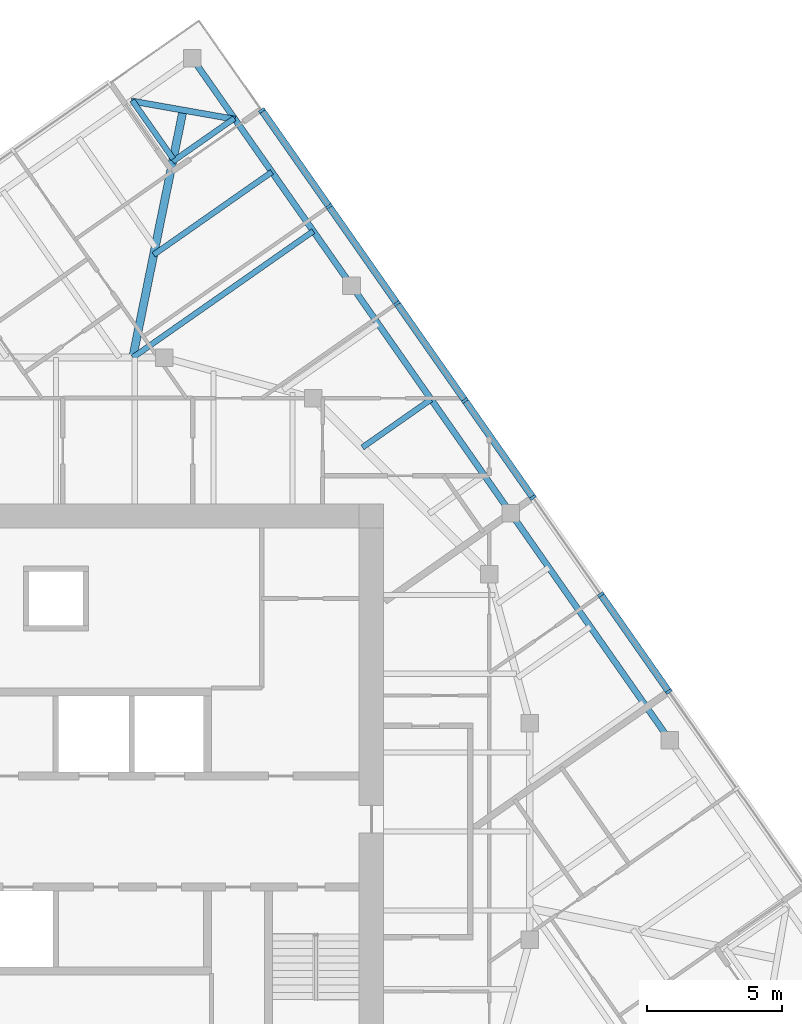
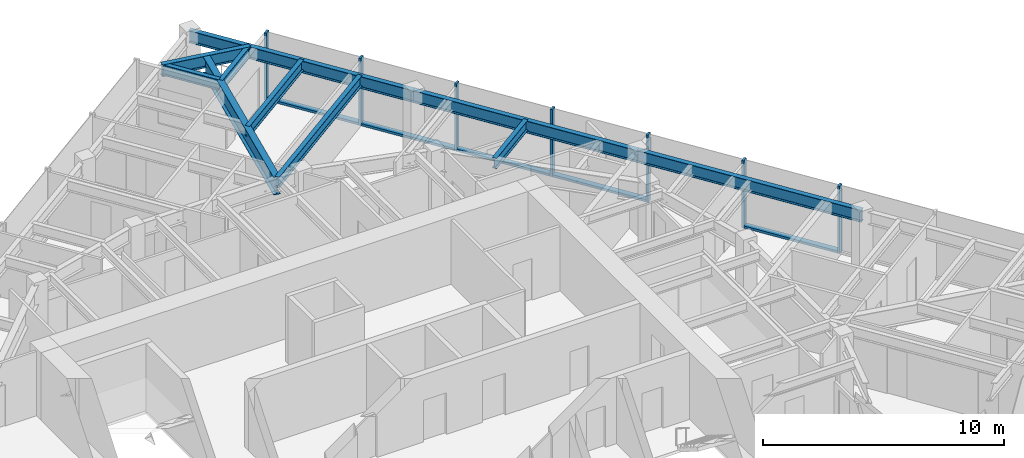
# One storey, part 5 of 12: 12 members, 10 beams, 1 element without a shape of its own.
"""IFC4 building model written with IfcOpenShell, lengths in metres."""

from ifc_helpers import new_model, si_unit, direction, frame, origin, origin_2d, place, context, subcontext, project, spatial, rectangle, i_section, extrude, material, material_profile, profile_set, type_object, element, aggregate, save


model = new_model("IFC4")

# Units and contexts
model_context = context("Model", 3, precision=1e-05, world=origin(), true_north=direction((0.0, 1.0)))
body_context = subcontext(model_context, "Body", "Model", "MODEL_VIEW")
ifc_project = project(units=[si_unit("LENGTHUNIT", "METRE"), si_unit("AREAUNIT", "SQUARE_METRE"), si_unit("VOLUMEUNIT", "CUBIC_METRE"), si_unit("PLANEANGLEUNIT", "RADIAN"), si_unit("MASSUNIT", "GRAM", prefix="KILO")], contexts=[model_context])

# Site, building, storey
site_placement = place(None, origin())
site = spatial("IfcSite", under=ifc_project, at=site_placement, CompositionType="ELEMENT")
building_placement = place(site_placement, origin())
building = spatial("IfcBuilding", under=site, at=building_placement, Name="Torsade Residences", CompositionType="ELEMENT")
storey_placement = place(building_placement, frame((0.0, 0.0, 250.60009765625)))
storey = spatial("IfcBuildingStorey", under=building, at=storey_placement, Name="L69", CompositionType="ELEMENT", Elevation=250.60009765625)

# Beams
ifc_material_1 = material(Name="Steel grade 300", Category="steel")
ifc_material_profile_1 = material_profile(ifc_material_1, i_section(OverallWidth=0.300048828125, OverallDepth=0.89990234375, WebThickness=0.011962890625, FlangeThickness=0.02490234375, at=origin_2d()), Name="900WB175")
ifc_profile_set_1 = profile_set([ifc_material_profile_1], Name="Steel grade 300")
beam_type_1 = type_object("IfcBeamType", Name="CORNER GIRDER 900WB175", PredefinedType="BEAM", material=ifc_profile_set_1)
beam_1_placement = place(storey_placement, frame((44.696533203125, 56.635986328125, 2.7998046875), z_axis=(-0.199584461589, -0.979880626756, 0.0), x_axis=(0.979880626756, -0.199584461589, 0.0)))
element("IfcBeam", 1, at=beam_1_placement, inside=storey, type_object=beam_type_1, Name="Corner girder 09 L70", PredefinedType="BEAM", context=body_context, shape_type="SweptSolid", body=[
    extrude(i_section(OverallWidth=0.300048828125, OverallDepth=0.89990234375, WebThickness=0.011962890625, FlangeThickness=0.02490234375, at=origin_2d()), origin(), (0.0, 0.0, 1.0), 9.323486328125),
])
ifc_material_2 = material(Name="Steel grade 300", Category="steel")
ifc_material_profile_2 = material_profile(ifc_material_2, i_section(OverallWidth=0.22802734375, OverallDepth=0.60205078125, WebThickness=0.010498046875, FlangeThickness=0.014892578125, FilletRadius=0.013916015625, at=origin_2d()), Name="610UB101")
ifc_profile_set_2 = profile_set([ifc_material_profile_2], Name="Steel grade 300")
beam_type_2 = type_object("IfcBeamType", Name="CORNER TRIMMER 610UB101", PredefinedType="BEAM", material=ifc_profile_set_2)
beam_2_placement = place(storey_placement, frame((42.78173828125, 56.9736328125, 2.948974609375), z_axis=(0.984808196894, -0.173645660267, 0.0), x_axis=(0.173645660267, 0.984808196894, 0.0)))
element("IfcBeam", 2, at=beam_2_placement, inside=storey, type_object=beam_type_2, Name="Corner trimmer 09 L70", PredefinedType="BEAM", context=body_context, shape_type="SweptSolid", body=[
    extrude(i_section(OverallWidth=0.22802734375, OverallDepth=0.60205078125, WebThickness=0.010498046875, FlangeThickness=0.014892578125, FilletRadius=0.013916015625, at=origin_2d()), origin(), (0.0, 0.0, 1.0), 3.888916015625),
])
ifc_material_3 = material(Name="Steel grade 300", Category="steel")
ifc_material_profile_3 = material_profile(ifc_material_3, i_section(OverallWidth=0.22900390625, OverallDepth=0.612060546875, WebThickness=0.011962890625, FlangeThickness=0.01953125, FilletRadius=0.013916015625, at=origin_2d()), Name="610UB125")
ifc_profile_set_3 = profile_set([ifc_material_profile_3], Name="Steel grade 300")
beam_type_3 = type_object("IfcBeamType", Name="EDGE BEAM 610UB125", PredefinedType="SPANDREL", material=ifc_profile_set_3)
for number, where, z_axis, x_axis, name in (
    (3, (62.671875, 33.362060546875, 2.94384765625), (-0.573579034377, 0.819150225126, 0.0), (-0.819150225126, -0.573579034377, 0.0), "Edge beam 06 L70"),
    (4, (56.792724609375, 41.75830078125, 2.94384765625), (-0.573579034377, 0.819150225126, 0.0), (-0.819150225126, -0.573579034377, 0.0), "Edge beam 07 L70"),
):
    element("IfcBeam", number, at=place(storey_placement, frame(where, z_axis=z_axis, x_axis=x_axis)), inside=storey, type_object=beam_type_3, Name=name, PredefinedType="SPANDREL", context=body_context, shape_type="SweptSolid", body=[
        extrude(i_section(OverallWidth=0.22900390625, OverallDepth=0.612060546875, WebThickness=0.011962890625, FlangeThickness=0.01953125, FilletRadius=0.013916015625, at=origin_2d()), origin(), (0.0, 0.0, 1.0), 10.25),
    ])
beam_3_placement = place(storey_placement, frame((50.91357421875, 50.154541015625, 2.94384765625), z_axis=(-0.573583825578, 0.819146870247, 0.0), x_axis=(-0.819146870247, -0.573583825578, 0.0)))
element("IfcBeam", 5, at=beam_3_placement, inside=storey, type_object=beam_type_3, Name="Edge beam 08 L70", PredefinedType="SPANDREL", context=body_context, shape_type="SweptSolid", body=[
    extrude(i_section(OverallWidth=0.22900390625, OverallDepth=0.612060546875, WebThickness=0.011962890625, FlangeThickness=0.01953125, FilletRadius=0.013916015625, at=origin_2d()), origin(), (0.0, 0.0, 1.0), 10.250244140625),
])

# Curtain wall, members
ifc_material_4 = material(Name="Aluminium and glass", Category="aluminium")
curtain_wall_type = type_object("IfcCurtainWallType", Name="FRITTED GLASS CURTAIN WALL HIGH ZONE", PredefinedType="NOTDEFINED", material=ifc_material_4)
curtain_wall_placement = place(storey_placement, origin())
curtain_wall = element("IfcCurtainWall", 6, at=curtain_wall_placement, inside=storey, type_object=curtain_wall_type, Name="Curtain wall L69 face 4", PredefinedType="NOTDEFINED")
ifc_material_5 = material(Name="Aluminium mullion", Category="aluminium")
ifc_material_profile_4 = material_profile(ifc_material_5, rectangle(XDim=0.25, YDim=0.10009765625, at=origin_2d()), Name="HIGH ZONE CURTAIN WALL MULLION 250x100")
ifc_profile_set_4 = profile_set([ifc_material_profile_4], Name="Aluminium mullion")
member_type_1 = type_object("IfcMemberType", Name="HIGH ZONE CURTAIN WALL MULLION 250x100", PredefinedType="MULLION", material=ifc_profile_set_4)
member_1_placement = place(storey_placement, frame((62.630615234375, 35.164306640625, 0.0), z_axis=(0.0, 0.0, 1.0), x_axis=(-0.819152029353, -0.573576457682, 0.0)))
member_1 = element("IfcMember", 7, at=member_1_placement, type_object=member_type_1, Name="Mullion 3", PredefinedType="MULLION", context=body_context, shape_type="SweptSolid", body=[
    extrude(rectangle(XDim=0.25, YDim=0.10009765625, at=origin_2d()), origin(), (0.0, 0.0, 1.0), 3.39990234375),
])
member_2_placement = place(storey_placement, frame((60.12109375, 38.748046875, 0.0), z_axis=(0.0, 0.0, 1.0), x_axis=(-0.819152029353, -0.573576457682, 0.0)))
member_2 = element("IfcMember", 8, at=member_2_placement, type_object=member_type_1, Name="Mullion 4", PredefinedType="MULLION", context=body_context, shape_type="SweptSolid", body=[
    extrude(rectangle(XDim=0.25, YDim=0.10009765625, at=origin_2d()), origin(), (0.0, 0.0, 1.0), 3.39990234375),
])
member_3_placement = place(storey_placement, frame((57.61181640625, 42.331787109375, 0.0), z_axis=(0.0, 0.0, 1.0), x_axis=(-0.819152029353, -0.573576457682, 0.0)))
member_3 = element("IfcMember", 9, at=member_3_placement, type_object=member_type_1, Name="Mullion 5", PredefinedType="MULLION", context=body_context, shape_type="SweptSolid", body=[
    extrude(rectangle(XDim=0.25, YDim=0.10009765625, at=origin_2d()), origin(), (0.0, 0.0, 1.0), 3.39990234375),
])
member_4_placement = place(storey_placement, frame((55.102294921875, 45.915771484375, 0.0), z_axis=(0.0, 0.0, 1.0), x_axis=(-0.819152029353, -0.573576457682, 0.0)))
member_4 = element("IfcMember", 10, at=member_4_placement, type_object=member_type_1, Name="Mullion 6", PredefinedType="MULLION", context=body_context, shape_type="SweptSolid", body=[
    extrude(rectangle(XDim=0.25, YDim=0.10009765625, at=origin_2d()), origin(), (0.0, 0.0, 1.0), 3.39990234375),
])
member_5_placement = place(storey_placement, frame((52.593017578125, 49.49951171875, 0.0), z_axis=(0.0, 0.0, 1.0), x_axis=(-0.819152029353, -0.573576457682, 0.0)))
member_5 = element("IfcMember", 11, at=member_5_placement, type_object=member_type_1, Name="Mullion 7", PredefinedType="MULLION", context=body_context, shape_type="SweptSolid", body=[
    extrude(rectangle(XDim=0.25, YDim=0.10009765625, at=origin_2d()), origin(), (0.0, 0.0, 1.0), 3.39990234375),
])
member_6_placement = place(storey_placement, frame((50.08349609375, 53.083251953125, 0.0), z_axis=(0.0, 0.0, 1.0), x_axis=(-0.819152029353, -0.573576457682, 0.0)))
member_6 = element("IfcMember", 12, at=member_6_placement, type_object=member_type_1, Name="Mullion 8", PredefinedType="MULLION", context=body_context, shape_type="SweptSolid", body=[
    extrude(rectangle(XDim=0.25, YDim=0.10009765625, at=origin_2d()), origin(), (0.0, 0.0, 1.0), 3.39990234375),
])
member_7_placement = place(storey_placement, frame((47.602783203125, 56.6259765625, 0.0), z_axis=(0.0, 0.0, 1.0), x_axis=(-0.819152029353, -0.573576457682, 0.0)))
member_7 = element("IfcMember", 13, at=member_7_placement, type_object=member_type_1, Name="Mullion 9", PredefinedType="MULLION", context=body_context, shape_type="SweptSolid", body=[
    extrude(rectangle(XDim=0.25, YDim=0.10009765625, at=origin_2d()), origin(), (0.0, 0.0, 1.0), 3.39990234375),
])
ifc_material_6 = material(Name="Aluminium transom", Category="aluminium")
ifc_material_profile_5 = material_profile(ifc_material_6, rectangle(XDim=0.25, YDim=0.1201171875, at=origin_2d()), Name="HIGH ZONE CURTAIN WALL TRANSOM 250x120")
ifc_profile_set_5 = profile_set([ifc_material_profile_5], Name="Aluminium transom")
member_type_2 = type_object("IfcMemberType", Name="HIGH ZONE CURTAIN WALL TRANSOM 250x120", PredefinedType="USERDEFINED", material=ifc_profile_set_5)
member_8_placement = place(storey_placement, frame((62.601806640625, 35.205322265625, 0.059814453125), z_axis=(-0.573573496219, 0.819154102984, 0.0), x_axis=(-0.819154102984, -0.573573496219, 0.0)))
member_8 = element("IfcMember", 14, at=member_8_placement, type_object=member_type_2, Name="Transom 3.1", ObjectType="TRANSOM", PredefinedType="USERDEFINED", context=body_context, shape_type="SweptSolid", body=[
    extrude(rectangle(XDim=0.25, YDim=0.1201171875, at=origin_2d()), origin(), (0.0, 0.0, 1.0), 4.27490234375),
])
member_9_placement = place(storey_placement, frame((57.5830078125, 42.372802734375, 0.059814453125), z_axis=(-0.573546663483, 0.81917289067, 0.0), x_axis=(-0.81917289067, -0.573546663483, 0.0)))
member_9 = element("IfcMember", 15, at=member_9_placement, type_object=member_type_2, Name="Transom 5.1", ObjectType="TRANSOM", PredefinedType="USERDEFINED", context=body_context, shape_type="SweptSolid", body=[
    extrude(rectangle(XDim=0.25, YDim=0.1201171875, at=origin_2d()), origin(), (0.0, 0.0, 1.0), 4.27490234375),
])
member_10_placement = place(storey_placement, frame((55.07373046875, 45.95654296875, 0.059814453125), z_axis=(-0.57358498433, 0.819146058863, 0.0), x_axis=(-0.819146058863, -0.57358498433, 0.0)))
member_10 = element("IfcMember", 16, at=member_10_placement, type_object=member_type_2, Name="Transom 6.1", ObjectType="TRANSOM", PredefinedType="USERDEFINED", context=body_context, shape_type="SweptSolid", body=[
    extrude(rectangle(XDim=0.25, YDim=0.1201171875, at=origin_2d()), origin(), (0.0, 0.0, 1.0), 4.275146484375),
])
member_11_placement = place(storey_placement, frame((52.564208984375, 49.54052734375, 0.059814453125), z_axis=(-0.573573496219, 0.819154102984, 0.0), x_axis=(-0.819154102984, -0.573573496219, 0.0)))
member_11 = element("IfcMember", 17, at=member_11_placement, type_object=member_type_2, Name="Transom 7.1", ObjectType="TRANSOM", PredefinedType="USERDEFINED", context=body_context, shape_type="SweptSolid", body=[
    extrude(rectangle(XDim=0.25, YDim=0.1201171875, at=origin_2d()), origin(), (0.0, 0.0, 1.0), 4.27490234375),
])
member_12_placement = place(storey_placement, frame((50.054931640625, 53.124267578125, 0.059814453125), z_axis=(-0.573570928023, 0.819155901234, 0.0), x_axis=(-0.819155901234, -0.573570928023, 0.0)))
member_12 = element("IfcMember", 18, at=member_12_placement, type_object=member_type_2, Name="Transom 8.1", ObjectType="TRANSOM", PredefinedType="USERDEFINED", context=body_context, shape_type="SweptSolid", body=[
    extrude(rectangle(XDim=0.25, YDim=0.1201171875, at=origin_2d()), origin(), (0.0, 0.0, 1.0), 4.22509765625),
])
aggregate(curtain_wall, [member_1, member_2, member_3, member_4, member_5, member_6, member_7, member_8, member_9, member_10, member_11, member_12])

# Beams
ifc_material_7 = material(Name="Steel grade 300", Category="steel")
ifc_material_profile_6 = material_profile(ifc_material_7, i_section(OverallWidth=0.208984375, OverallDepth=0.532958984375, WebThickness=0.01025390625, FlangeThickness=0.015625, FilletRadius=0.013916015625, at=origin_2d()), Name="530UB92.4")
ifc_profile_set_6 = profile_set([ifc_material_profile_6], Name="Steel grade 300")
beam_type_4 = type_object("IfcBeamType", Name="SECONDARY BEAM 530UB92.4", PredefinedType="JOIST", material=ifc_profile_set_6)
beam_4_placement = place(storey_placement, frame((53.85302734375, 45.95654296875, 2.9833984375), z_axis=(-0.819135534955, -0.573600013401, 0.0), x_axis=(0.573600013401, -0.819135534955, 0.0)))
element("IfcBeam", 19, at=beam_4_placement, inside=storey, type_object=beam_type_4, Name="Floor beam FE08 L70", PredefinedType="JOIST", context=body_context, shape_type="SweptSolid", body=[
    extrude(i_section(OverallWidth=0.208984375, OverallDepth=0.532958984375, WebThickness=0.01025390625, FlangeThickness=0.015625, FilletRadius=0.013916015625, at=origin_2d()), origin(), (0.0, 0.0, 1.0), 3.09423828125),
])
beam_5_placement = place(storey_placement, frame((49.50341796875, 52.16845703125, 2.9833984375), z_axis=(-0.819151588523, -0.573577087251, 0.0), x_axis=(0.573577087251, -0.819151588523, 0.0)))
element("IfcBeam", 20, at=beam_5_placement, inside=storey, type_object=beam_type_4, Name="Floor beam FE10 L70", PredefinedType="JOIST", context=body_context, shape_type="SweptSolid", body=[
    extrude(i_section(OverallWidth=0.208984375, OverallDepth=0.532958984375, WebThickness=0.01025390625, FlangeThickness=0.015625, FilletRadius=0.013916015625, at=origin_2d()), origin(), (0.0, 0.0, 1.0), 8.13916015625),
])
beam_6_placement = place(storey_placement, frame((47.973876953125, 54.352783203125, 2.9833984375), z_axis=(-0.819137197966, -0.573597638513, 0.0), x_axis=(0.573597638513, -0.819137197966, 0.0)))
element("IfcBeam", 21, at=beam_6_placement, inside=storey, type_object=beam_type_4, Name="Floor beam FE11 L70", PredefinedType="JOIST", context=body_context, shape_type="SweptSolid", body=[
    extrude(i_section(OverallWidth=0.208984375, OverallDepth=0.532958984375, WebThickness=0.01025390625, FlangeThickness=0.015625, FilletRadius=0.013916015625, at=origin_2d()), origin(), (0.0, 0.0, 1.0), 5.328369140625),
])
beam_7_placement = place(storey_placement, frame((46.587646484375, 56.332275390625, 2.9833984375), z_axis=(-0.819190669238, -0.573521270253, 0.0), x_axis=(0.573521270253, -0.819190669238, 0.0)))
element("IfcBeam", 22, at=beam_7_placement, inside=storey, type_object=beam_type_4, Name="Floor beam FE12 L70", PredefinedType="JOIST", context=body_context, shape_type="SweptSolid", body=[
    extrude(i_section(OverallWidth=0.208984375, OverallDepth=0.532958984375, WebThickness=0.01025390625, FlangeThickness=0.015625, FilletRadius=0.013916015625, at=origin_2d()), origin(), (0.0, 0.0, 1.0), 2.780517578125),
])
beam_8_placement = place(storey_placement, frame((42.815673828125, 56.99755859375, 2.9833984375), z_axis=(0.573592685254, -0.819140666445, 0.0), x_axis=(0.819140666445, 0.573592685254, 0.0)))
element("IfcBeam", 23, at=beam_8_placement, inside=storey, type_object=beam_type_4, Name="Floor beam FN01 L70", PredefinedType="JOIST", context=body_context, shape_type="SweptSolid", body=[
    extrude(i_section(OverallWidth=0.208984375, OverallDepth=0.532958984375, WebThickness=0.01025390625, FlangeThickness=0.015625, FilletRadius=0.013916015625, at=origin_2d()), origin(), (0.0, 0.0, 1.0), 2.639892578125),
])

save(model, "model.ifc")
